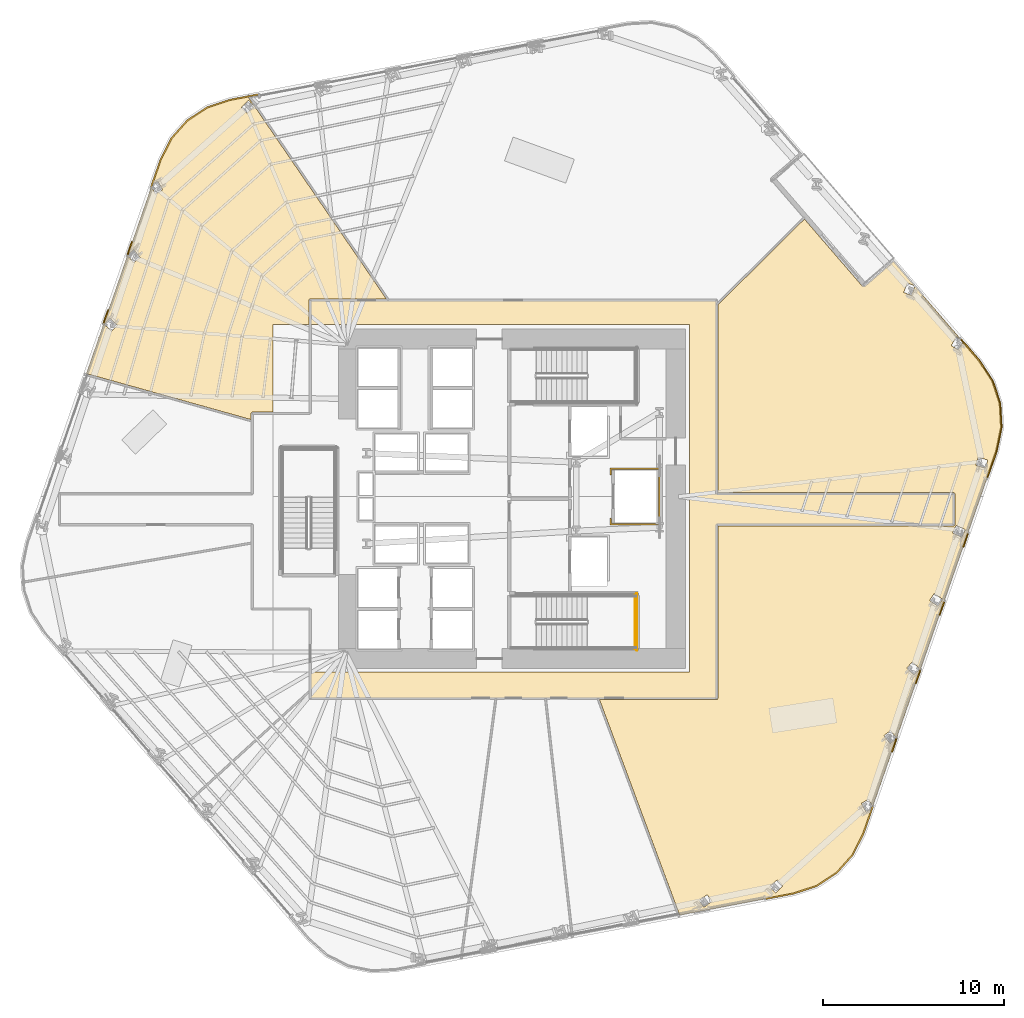
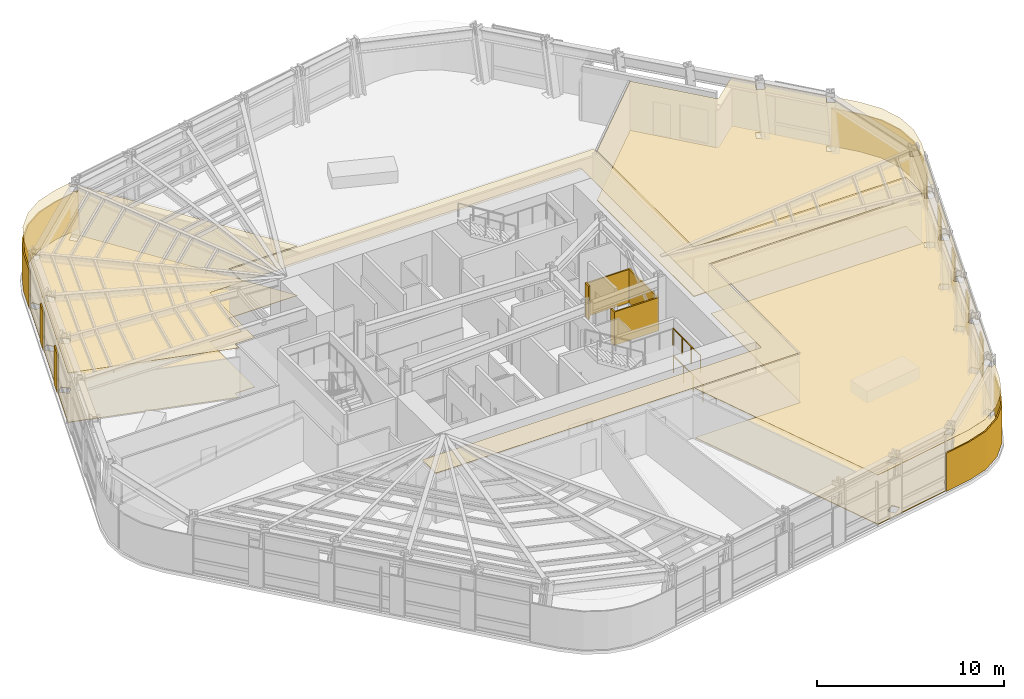
# One storey, part 15 of 18: 15 coverings, 2 railings.
"""IFC4 building model written with IfcOpenShell, lengths in metres."""

from ifc_helpers import new_model, si_unit, direction, frame, origin, origin_2d, place, context, subcontext, project, spatial, polyline, circle, outline, extrude, material, layer, layer_set, type_object, element, save


model = new_model("IFC4")

# Units and contexts
model_context = context("Model", 3, precision=1e-05, world=origin(), true_north=direction((0.0, 1.0)))
body_context = subcontext(model_context, "Body", "Model", "MODEL_VIEW")
ifc_project = project(units=[si_unit("LENGTHUNIT", "METRE"), si_unit("AREAUNIT", "SQUARE_METRE"), si_unit("VOLUMEUNIT", "CUBIC_METRE"), si_unit("PLANEANGLEUNIT", "RADIAN"), si_unit("MASSUNIT", "GRAM", prefix="KILO")], contexts=[model_context])

# Site, building, storey
site_placement = place(None, origin())
site = spatial("IfcSite", under=ifc_project, at=site_placement, CompositionType="ELEMENT")
building_placement = place(site_placement, origin())
building = spatial("IfcBuilding", under=site, at=building_placement, Name="Valkerne Bourse Tower", CompositionType="ELEMENT")
storey_placement = place(building_placement, frame((0.0, 0.0, 69.60009765625)))
storey = spatial("IfcBuildingStorey", under=building, at=storey_placement, Name="L17", CompositionType="ELEMENT", Elevation=69.60009765625)

# Coverings
ifc_material_1 = material(Name="Mineral Fiber Acoustic Ceiling Tile", Category="acoustic")
ifc_layer_1 = layer(ifc_material_1, 0.02490234375)
ifc_layer_set_1 = layer_set([ifc_layer_1], Name="Mineral Fiber Acoustic Ceiling Tile")
covering_type_1 = type_object("IfcCoveringType", Name="COV-CEIL-ACT", PredefinedType="CEILING", material=ifc_layer_set_1)
covering_1_placement = place(storey_placement, frame((0.0, 0.0, 3.22998046875)))
element("IfcCovering", 1, at=covering_1_placement, inside=storey, type_object=covering_type_1, Name="L17 Suspended Ceiling 07", PredefinedType="CEILING", context=body_context, shape_type="SweptSolid", body=[
    extrude(outline(polyline([(28.86328125, 47.77978515625), (29.96630859375, 48.504150390625), (31.228271484375, 48.92138671875), (32.2060546875, 49.108154296875), (39.859619140625, 37.9189453125), (35.6494140625, 37.9189453125), (35.619873046875, 37.912109375), (35.593994140625, 37.890625), (35.5810546875, 37.8505859375), (35.5810546875, 36.5), (33.60009765625, 36.5), (33.60009765625, 31.668701171875), (32.43994140625, 31.66845703125), (32.399169921875, 31.64697265625), (32.381591796875, 31.610107421875), (32.381103515625, 31.256591796875), (23.276611328125, 33.800048828125), (25.55615234375, 40.345458984375), (25.88720703125, 39.923828125), (26.24609375, 40.2041015625), (26.248291015625, 40.20703125), (25.904541015625, 40.64453125), (25.569091796875, 40.383056640625), (26.870361328125, 44.119384765625), (27.096923828125, 43.72021484375), (27.49365234375, 43.943603515625), (27.49609375, 43.9462890625), (27.221435546875, 44.43017578125), (26.919189453125, 44.260009765625), (27.388427734375, 45.607177734375), (27.985595703125, 46.794677734375), (28.86328125, 47.77978515625)]), holes=[polyline([(24.9912109375, 36.470703125), (24.99267578125, 36.473876953125), (24.583251953125, 36.850341796875), (24.273681640625, 36.51611328125), (24.2724609375, 36.5126953125), (24.681884765625, 36.13623046875), (24.9912109375, 36.470703125)]), polyline([(32.15869140625, 48.18359375), (32.55224609375, 48.57275390625), (32.231201171875, 48.898681640625), (32.22802734375, 48.896484375), (31.83447265625, 48.50732421875), (32.155517578125, 48.181396484375), (32.15869140625, 48.18359375)])]), origin(), (0.0, 0.0, 1.0), 0.02490234375),
])
covering_2_placement = place(storey_placement, frame((0.0, 0.0, 3.22998046875)))
element("IfcCovering", 2, at=covering_2_placement, inside=storey, type_object=covering_type_1, Name="L17 Suspended Ceiling 10", PredefinedType="CEILING", context=body_context, shape_type="SweptSolid", body=[
    extrude(outline(polyline([(73.570556640625, 29.52490234375), (68.0439453125, 13.654541015625), (67.712890625, 14.076171875), (67.353759765625, 13.7958984375), (67.351806640625, 13.79296875), (67.6953125, 13.35546875), (68.031005859375, 13.616943359375), (66.729736328125, 9.880615234375), (66.503173828125, 10.27978515625), (66.1064453125, 10.056396484375), (66.10400390625, 10.0537109375), (66.378662109375, 9.56982421875), (66.6806640625, 9.739990234375), (66.211669921875, 8.392822265625), (65.614501953125, 7.205322265625), (64.736572265625, 6.22021484375), (63.6337890625, 5.495849609375), (62.371826171875, 5.07861328125), (56.06298828125, 3.875), (51.63525390625, 15.781005859375), (58.1005859375, 15.781005859375), (58.130126953125, 15.787841796875), (58.156005859375, 15.809326171875), (58.1689453125, 15.849365234375), (58.1689453125, 25.381103515625), (71.20068359375, 25.381103515625), (71.246826171875, 25.39892578125), (71.268798828125, 25.4453125), (71.268798828125, 27.153564453125), (71.2509765625, 27.197021484375), (71.2099609375, 27.218505859375), (58.1689453125, 27.218994140625), (58.1689453125, 37.58935546875), (62.95751953125, 42.334716796875), (66.127197265625, 38.66259765625), (66.171142578125, 38.628173828125), (66.21142578125, 38.614990234375), (66.253662109375, 38.614013671875), (66.29443359375, 38.625244140625), (66.329833984375, 38.647705078125), (67.886474609375, 39.9912109375), (69.048583984375, 38.64501953125), (68.6484375, 38.804931640625), (68.439453125, 38.29052734375), (68.441162109375, 38.287353515625), (68.86474609375, 38.117919921875), (69.069091796875, 38.62109375), (71.611328125, 35.67578125), (71.352294921875, 35.82763671875), (71.06884765625, 35.35009765625), (71.070068359375, 35.346435546875), (71.463623046875, 35.115966796875), (71.720703125, 35.54931640625), (72.6201171875, 34.50732421875), (73.349609375, 33.396484375), (73.76416015625, 32.143798828125), (73.840087890625, 30.826416015625), (73.570556640625, 29.52490234375)]), holes=[polyline([(57.8515625, 4.637451171875), (57.582763671875, 5.007568359375), (57.57958984375, 5.006103515625), (57.132080078125, 4.6796875), (57.40087890625, 4.3095703125), (57.404296875, 4.31103515625), (57.8515625, 4.637451171875)]), polyline([(61.371826171875, 5.103515625), (61.765380859375, 5.49267578125), (61.4443359375, 5.818603515625), (61.44140625, 5.81640625), (61.0478515625, 5.42724609375), (61.368896484375, 5.101318359375), (61.371826171875, 5.103515625)]), polyline([(69.326171875, 17.48388671875), (69.32763671875, 17.4873046875), (68.918212890625, 17.86376953125), (68.608642578125, 17.529296875), (68.607421875, 17.526123046875), (69.016845703125, 17.149658203125), (69.326171875, 17.48388671875)]), polyline([(70.58837890625, 21.33447265625), (70.589111328125, 21.337890625), (70.123291015625, 21.6416015625), (69.873291015625, 21.260986328125), (69.872314453125, 21.257568359375), (70.33837890625, 20.95361328125), (70.58837890625, 21.33447265625)]), polyline([(71.841552734375, 25.185791015625), (71.332763671875, 25.410888671875), (71.147216796875, 24.9951171875), (71.14697265625, 24.991455078125), (71.65576171875, 24.766357421875), (71.84130859375, 25.182373046875), (71.841552734375, 25.185791015625)]), polyline([(73.086669921875, 29.023681640625), (73.08642578125, 29.027587890625), (72.5498046875, 29.17431640625), (72.42822265625, 28.735595703125), (72.4287109375, 28.731689453125), (72.965087890625, 28.585205078125), (73.086669921875, 29.023681640625)])]), origin(), (0.0, 0.0, 1.0), 0.02490234375),
])
ifc_material_2 = material(Name="Bronze Anodised Aluminium AA 6063-T6", Category="aluminium")
ifc_layer_2 = layer(ifc_material_2, 0.030029296875)
ifc_layer_set_2 = layer_set([ifc_layer_2], Name="Bronze Anodised Aluminium AA 6063-T6")
covering_type_2 = type_object("IfcCoveringType", Name="COV-CEIL-METAL", PredefinedType="CEILING", material=ifc_layer_set_2)
covering_3_placement = place(storey_placement, frame((0.0, 0.0, 3.22998046875)))
element("IfcCovering", 3, at=covering_3_placement, inside=storey, type_object=covering_type_2, Name="L17 Suspended Ceiling 01", PredefinedType="CEILING", context=body_context, shape_type="SweptSolid", body=[
    extrude(outline(polyline([(71.196044921875, 27.14599609375), (71.196044921875, 25.4541015625), (58.095947265625, 25.4541015625), (58.095947265625, 15.85400390625), (35.654052734375, 15.85400390625), (35.654052734375, 17.300048828125), (56.60009765625, 17.300048828125), (56.60009765625, 36.5), (35.654052734375, 36.5), (35.654052734375, 37.845947265625), (58.095947265625, 37.845947265625), (58.095947265625, 27.14599609375), (71.196044921875, 27.14599609375)])), origin(), (0.0, 0.0, 1.0), 0.02490234375),
])
ifc_layer_3 = layer(ifc_material_2, 0.06005859375)
ifc_layer_set_3 = layer_set([ifc_layer_3], Name="Bronze Anodised Aluminium AA 6063-T6")
covering_type_3 = type_object("IfcCoveringType", Name="COV-CRN-ALUM", PredefinedType="CLADDING", material=ifc_layer_set_3)
covering_4_placement = place(storey_placement, origin())
element("IfcCovering", 4, at=covering_4_placement, inside=storey, type_object=covering_type_3, Name="L17 Wind-Shaped Corner Aluminium Cladding 01", PredefinedType="CLADDING", context=body_context, shape_type="SweptSolid", body=[
    extrude(outline(polyline([(73.8076171875, 32.152099609375), (73.88427734375, 30.822998046875), (73.613037109375, 29.51318359375), (73.079833984375, 27.98193359375), (73.00439453125, 28.00830078125), (73.53564453125, 29.534423828125), (73.8037109375, 30.8291015625), (73.728515625, 32.136962890625), (73.31689453125, 33.380615234375), (72.59130859375, 34.485595703125), (71.535400390625, 35.708984375), (71.595947265625, 35.76123046875), (72.6552734375, 34.533935546875), (73.3896484375, 33.415771484375), (73.8076171875, 32.152099609375)])), origin(), (0.0, 0.0, 1.0), 2.5),
])
covering_5_placement = place(storey_placement, origin())
element("IfcCovering", 5, at=covering_5_placement, inside=storey, type_object=covering_type_3, Name="L17 Wind-Shaped Corner Aluminium Cladding 02", PredefinedType="CLADDING", context=body_context, shape_type="SweptSolid", body=[
    extrude(outline(polyline([(71.765625, 24.208251953125), (71.690185546875, 24.234619140625), (71.96630859375, 25.02783203125), (72.0419921875, 25.001708984375), (71.765625, 24.208251953125)])), origin(), (0.0, 0.0, 1.0), 2.5),
])
covering_6_placement = place(storey_placement, origin())
element("IfcCovering", 6, at=covering_6_placement, inside=storey, type_object=covering_type_3, Name="L17 Wind-Shaped Corner Aluminium Cladding 03", PredefinedType="CLADDING", context=body_context, shape_type="SweptSolid", body=[
    extrude(outline(polyline([(70.45166015625, 20.434814453125), (70.3759765625, 20.4609375), (70.65234375, 21.254150390625), (70.727783203125, 21.227783203125), (70.45166015625, 20.434814453125)])), origin(), (0.0, 0.0, 1.0), 2.5),
])
covering_7_placement = place(storey_placement, origin())
element("IfcCovering", 7, at=covering_7_placement, inside=storey, type_object=covering_type_3, Name="L17 Wind-Shaped Corner Aluminium Cladding 04", PredefinedType="CLADDING", context=body_context, shape_type="SweptSolid", body=[
    extrude(outline(polyline([(69.137451171875, 16.660888671875), (69.061767578125, 16.68701171875), (69.338134765625, 17.48046875), (69.41357421875, 17.4541015625), (69.137451171875, 16.660888671875)])), origin(), (0.0, 0.0, 1.0), 2.5),
])
covering_8_placement = place(storey_placement, origin())
element("IfcCovering", 8, at=covering_8_placement, inside=storey, type_object=covering_type_3, Name="L17 Wind-Shaped Corner Aluminium Cladding 05", PredefinedType="CLADDING", context=body_context, shape_type="SweptSolid", body=[
    extrude(outline(polyline([(67.8232421875, 12.88720703125), (67.747802734375, 12.913330078125), (68.02392578125, 13.706787109375), (68.099609375, 13.680419921875), (67.8232421875, 12.88720703125)])), origin(), (0.0, 0.0, 1.0), 2.5),
])
covering_9_placement = place(storey_placement, origin())
element("IfcCovering", 9, at=covering_9_placement, inside=storey, type_object=covering_type_3, Name="L17 Wind-Shaped Corner Aluminium Cladding 06", PredefinedType="CLADDING", context=body_context, shape_type="SweptSolid", body=[
    extrude(outline(polyline([(66.252197265625, 8.375732421875), (65.651123046875, 7.180419921875), (64.765625, 6.186767578125), (63.653076171875, 5.455810546875), (62.3828125, 5.035888671875), (60.790283203125, 4.73193359375), (60.775390625, 4.810546875), (62.36279296875, 5.11328125), (63.617919921875, 5.528564453125), (64.712890625, 6.247802734375), (65.584228515625, 7.225830078125), (66.178466796875, 8.406982421875), (66.709716796875, 9.93310546875), (66.785400390625, 9.90673828125), (66.252197265625, 8.375732421875)])), origin(), (0.0, 0.0, 1.0), 2.5),
])
covering_10_placement = place(storey_placement, origin())
element("IfcCovering", 10, at=covering_10_placement, inside=storey, type_object=covering_type_3, Name="L17 Wind-Shaped Corner Aluminium Cladding 19", PredefinedType="CLADDING", context=body_context, shape_type="SweptSolid", body=[
    extrude(outline(polyline([(24.462646484375, 37.339111328125), (24.5380859375, 37.31298828125), (24.261962890625, 36.51953125), (24.186279296875, 36.5458984375), (24.462646484375, 37.339111328125)])), origin(), (0.0, 0.0, 1.0), 2.5),
])
covering_11_placement = place(storey_placement, origin())
element("IfcCovering", 11, at=covering_11_placement, inside=storey, type_object=covering_type_3, Name="L17 Wind-Shaped Corner Aluminium Cladding 20", PredefinedType="CLADDING", context=body_context, shape_type="SweptSolid", body=[
    extrude(outline(polyline([(25.77685546875, 41.11279296875), (25.852294921875, 41.086669921875), (25.576171875, 40.293212890625), (25.50048828125, 40.319580078125), (25.77685546875, 41.11279296875)])), origin(), (0.0, 0.0, 1.0), 2.5),
])
covering_12_placement = place(storey_placement, origin())
element("IfcCovering", 12, at=covering_12_placement, inside=storey, type_object=covering_type_3, Name="L17 Wind-Shaped Corner Aluminium Cladding 21", PredefinedType="CLADDING", context=body_context, shape_type="SweptSolid", body=[
    extrude(outline(polyline([(27.347900390625, 45.624267578125), (27.948974609375, 46.819580078125), (28.83447265625, 47.813232421875), (29.947021484375, 48.544189453125), (31.217041015625, 48.964111328125), (32.8095703125, 49.26806640625), (32.82470703125, 49.189453125), (31.2373046875, 48.88671875), (29.982177734375, 48.471435546875), (28.88720703125, 47.752197265625), (28.015625, 46.774169921875), (27.421630859375, 45.593017578125), (26.89013671875, 44.06689453125), (26.814697265625, 44.09326171875), (27.347900390625, 45.624267578125)])), origin(), (0.0, 0.0, 1.0), 2.5),
])
ifc_material_3 = material(Name="Galvanised Painted Steel", Category="steel")
ifc_layer_4 = layer(ifc_material_3, 0.044921875)
ifc_layer_set_4 = layer_set([ifc_layer_4], Name="Galvanised Painted Steel")
covering_type_4 = type_object("IfcCoveringType", Name="COV-FLR-RAF", PredefinedType="FLOORING", material=ifc_layer_set_4)
covering_13_placement = place(storey_placement, origin())
element("IfcCovering", 13, at=covering_13_placement, inside=storey, type_object=covering_type_4, Name="L17 Floor Finish 10", PredefinedType="FLOORING", context=body_context, shape_type="SweptSolid", body=[
    extrude(outline(polyline([(73.570556640625, 29.52490234375), (68.0439453125, 13.654541015625), (67.712890625, 14.076171875), (67.353759765625, 13.7958984375), (67.351806640625, 13.79296875), (67.6953125, 13.35546875), (68.031005859375, 13.616943359375), (66.729736328125, 9.880615234375), (66.503173828125, 10.27978515625), (66.1064453125, 10.056396484375), (66.10400390625, 10.0537109375), (66.378662109375, 9.56982421875), (66.6806640625, 9.739990234375), (66.211669921875, 8.392822265625), (65.614501953125, 7.205322265625), (64.736572265625, 6.22021484375), (63.6337890625, 5.495849609375), (62.371826171875, 5.07861328125), (56.06298828125, 3.875), (51.63525390625, 15.781005859375), (58.1005859375, 15.781005859375), (58.130126953125, 15.787841796875), (58.156005859375, 15.809326171875), (58.1689453125, 15.849365234375), (58.1689453125, 25.381103515625), (71.20068359375, 25.381103515625), (71.246826171875, 25.39892578125), (71.268798828125, 25.4453125), (71.268798828125, 27.153564453125), (71.2509765625, 27.197021484375), (71.2099609375, 27.218505859375), (58.1689453125, 27.218994140625), (58.1689453125, 37.58935546875), (62.95751953125, 42.334716796875), (66.127197265625, 38.66259765625), (66.171142578125, 38.628173828125), (66.21142578125, 38.614990234375), (66.253662109375, 38.614013671875), (66.29443359375, 38.625244140625), (66.329833984375, 38.647705078125), (67.886474609375, 39.9912109375), (69.048583984375, 38.64501953125), (68.6484375, 38.804931640625), (68.439453125, 38.29052734375), (68.441162109375, 38.287353515625), (68.86474609375, 38.117919921875), (69.069091796875, 38.62109375), (71.611328125, 35.67578125), (71.352294921875, 35.82763671875), (71.06884765625, 35.35009765625), (71.070068359375, 35.346435546875), (71.463623046875, 35.115966796875), (71.720703125, 35.54931640625), (72.6201171875, 34.50732421875), (73.349609375, 33.396484375), (73.76416015625, 32.143798828125), (73.840087890625, 30.826416015625), (73.570556640625, 29.52490234375)]), holes=[polyline([(57.8515625, 4.637451171875), (57.582763671875, 5.007568359375), (57.57958984375, 5.006103515625), (57.132080078125, 4.6796875), (57.40087890625, 4.3095703125), (57.404296875, 4.31103515625), (57.8515625, 4.637451171875)]), polyline([(61.371826171875, 5.103515625), (61.765380859375, 5.49267578125), (61.4443359375, 5.818603515625), (61.44140625, 5.81640625), (61.0478515625, 5.42724609375), (61.368896484375, 5.101318359375), (61.371826171875, 5.103515625)]), polyline([(69.326171875, 17.48388671875), (69.32763671875, 17.4873046875), (68.918212890625, 17.86376953125), (68.608642578125, 17.529296875), (68.607421875, 17.526123046875), (69.016845703125, 17.149658203125), (69.326171875, 17.48388671875)]), polyline([(70.58837890625, 21.33447265625), (70.589111328125, 21.337890625), (70.123291015625, 21.6416015625), (69.873291015625, 21.260986328125), (69.872314453125, 21.257568359375), (70.33837890625, 20.95361328125), (70.58837890625, 21.33447265625)]), polyline([(71.841552734375, 25.185791015625), (71.332763671875, 25.410888671875), (71.147216796875, 24.9951171875), (71.14697265625, 24.991455078125), (71.65576171875, 24.766357421875), (71.84130859375, 25.182373046875), (71.841552734375, 25.185791015625)]), polyline([(73.086669921875, 29.023681640625), (73.08642578125, 29.027587890625), (72.5498046875, 29.17431640625), (72.42822265625, 28.735595703125), (72.4287109375, 28.731689453125), (72.965087890625, 28.585205078125), (73.086669921875, 29.023681640625)])]), origin(), (0.0, 0.0, 1.0), 0.044921875),
])
ifc_material_4 = material(Name="Polished Granite Stone", Category="masonry")
ifc_layer_5 = layer(ifc_material_4, 0.030029296875)
ifc_layer_set_5 = layer_set([ifc_layer_5], Name="Polished Granite Stone")
covering_type_5 = type_object("IfcCoveringType", Name="COV-FLR-TERRAZZO", PredefinedType="FLOORING", material=ifc_layer_set_5)
covering_14_placement = place(storey_placement, origin())
element("IfcCovering", 14, at=covering_14_placement, inside=storey, type_object=covering_type_5, Name="L17 Floor Finish 07", PredefinedType="FLOORING", context=body_context, shape_type="SweptSolid", body=[
    extrude(outline(polyline([(28.86328125, 47.77978515625), (29.96630859375, 48.504150390625), (31.228271484375, 48.92138671875), (32.2060546875, 49.108154296875), (39.859619140625, 37.9189453125), (35.6494140625, 37.9189453125), (35.619873046875, 37.912109375), (35.593994140625, 37.890625), (35.5810546875, 37.8505859375), (35.5810546875, 36.5), (33.60009765625, 36.5), (33.60009765625, 31.668701171875), (32.43994140625, 31.66845703125), (32.399169921875, 31.64697265625), (32.381591796875, 31.610107421875), (32.381103515625, 31.256591796875), (23.276611328125, 33.800048828125), (25.55615234375, 40.345458984375), (25.88720703125, 39.923828125), (26.24609375, 40.2041015625), (26.248291015625, 40.20703125), (25.904541015625, 40.64453125), (25.569091796875, 40.383056640625), (26.870361328125, 44.119384765625), (27.096923828125, 43.72021484375), (27.49365234375, 43.943603515625), (27.49609375, 43.9462890625), (27.221435546875, 44.43017578125), (26.919189453125, 44.260009765625), (27.388427734375, 45.607177734375), (27.985595703125, 46.794677734375), (28.86328125, 47.77978515625)]), holes=[polyline([(24.9912109375, 36.470703125), (24.99267578125, 36.473876953125), (24.583251953125, 36.850341796875), (24.273681640625, 36.51611328125), (24.2724609375, 36.5126953125), (24.681884765625, 36.13623046875), (24.9912109375, 36.470703125)]), polyline([(32.15869140625, 48.18359375), (32.55224609375, 48.57275390625), (32.231201171875, 48.898681640625), (32.22802734375, 48.896484375), (31.83447265625, 48.50732421875), (32.155517578125, 48.181396484375), (32.15869140625, 48.18359375)])]), origin(), (0.0, 0.0, 1.0), 0.02978515625),
])
ifc_material_5 = material(Name="Gypsum Shaftwall Liner Board", Category="gypsum")
ifc_layer_6 = layer(ifc_material_5, 0.080078125)
ifc_layer_set_6 = layer_set([ifc_layer_6], Name="Gypsum Shaftwall Liner Board")
covering_type_6 = type_object("IfcCoveringType", Name="COV-SHF-CLAD", PredefinedType="CLADDING", material=ifc_layer_set_6)
covering_15_placement = place(storey_placement, origin())
element("IfcCovering", 15, at=covering_15_placement, inside=storey, type_object=covering_type_6, Name="L17 Hoistway & Riser Shaftwall Liner 08", PredefinedType="CLADDING", context=body_context, shape_type="SweptSolid", body=[
    extrude(outline(polyline([(54.97998046875, 25.419921875), (52.219970703125, 25.419921875), (52.219970703125, 25.81787109375), (52.227783203125, 25.814208984375), (52.269287109375, 25.79931640625), (52.31005859375, 25.789306640625), (52.31005859375, 25.510009765625), (54.889892578125, 25.510009765625), (54.889892578125, 28.489990234375), (52.31005859375, 28.489990234375), (52.31005859375, 28.210693359375), (52.269287109375, 28.20068359375), (52.227783203125, 28.185791015625), (52.219970703125, 28.18212890625), (52.219970703125, 28.580078125), (54.97998046875, 28.580078125), (54.97998046875, 25.419921875)])), origin(), (0.0, 0.0, 1.0), 2.179931640625),
])

# Railings
railing_type = type_object("IfcRailingType", Name="RLG-ST-GUARD-1120", PredefinedType="GUARDRAIL", material=ifc_material_3)
railing_1_placement = place(storey_placement, frame((53.60009765625, 18.60009765625, 1.89990234375)))
element("IfcRailing", 16, at=railing_1_placement, inside=storey, type_object=railing_type, Name="L17 ST-1 stair guard 5", PredefinedType="GUARDRAIL", context=body_context, shape_type="SweptSolid", body=[
    extrude(circle(Radius=0.02392578125, at=origin_2d()), frame((0.0, 0.0, 1.09619140625), z_axis=(0.0, 1.0, 0.0), x_axis=(-1.0, 0.0, 0.0)), (0.0, 0.0, 1.0), 2.949951171875),
    extrude(circle(Radius=0.02099609375, at=origin_2d()), origin(), (0.0, 0.0, 1.0), 1.072021484375),
    extrude(circle(Radius=0.02099609375, at=origin_2d()), frame((0.0, 0.9833984375, 0.0)), (0.0, 0.0, 1.0), 1.072021484375),
    extrude(circle(Radius=0.02099609375, at=origin_2d()), frame((0.0, 1.966552734375, 0.0)), (0.0, 0.0, 1.0), 1.072021484375),
    extrude(circle(Radius=0.02099609375, at=origin_2d()), frame((0.0, 2.949951171875, 0.0)), (0.0, 0.0, 1.0), 1.072021484375),
])
railing_2_placement = place(storey_placement, frame((53.699951171875, 18.5, 0.0)))
element("IfcRailing", 17, at=railing_2_placement, inside=storey, type_object=railing_type, Name="L17 ST-1 stair guard 12", PredefinedType="GUARDRAIL", context=body_context, shape_type="SweptSolid", body=[
    extrude(circle(Radius=0.02392578125, at=origin_2d()), frame((0.0, 0.0, 1.09619140625), z_axis=(0.0, 1.0, 0.0), x_axis=(-1.0, 0.0, 0.0)), (0.0, 0.0, 1.0), 3.14990234375),
    extrude(circle(Radius=0.02099609375, at=origin_2d()), origin(), (0.0, 0.0, 1.0), 1.072021484375),
    extrude(circle(Radius=0.02099609375, at=origin_2d()), frame((0.0, 1.050048828125, 0.0)), (0.0, 0.0, 1.0), 1.072021484375),
    extrude(circle(Radius=0.02099609375, at=origin_2d()), frame((0.0, 2.099853515625, 0.0)), (0.0, 0.0, 1.0), 1.072021484375),
    extrude(circle(Radius=0.02099609375, at=origin_2d()), frame((0.0, 3.14990234375, 0.0)), (0.0, 0.0, 1.0), 1.072021484375),
])

save(model, "model.ifc")
